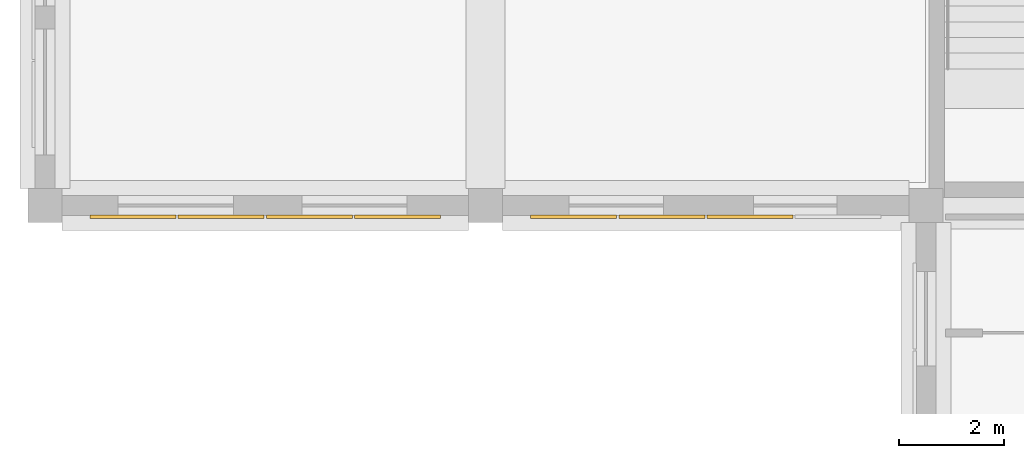
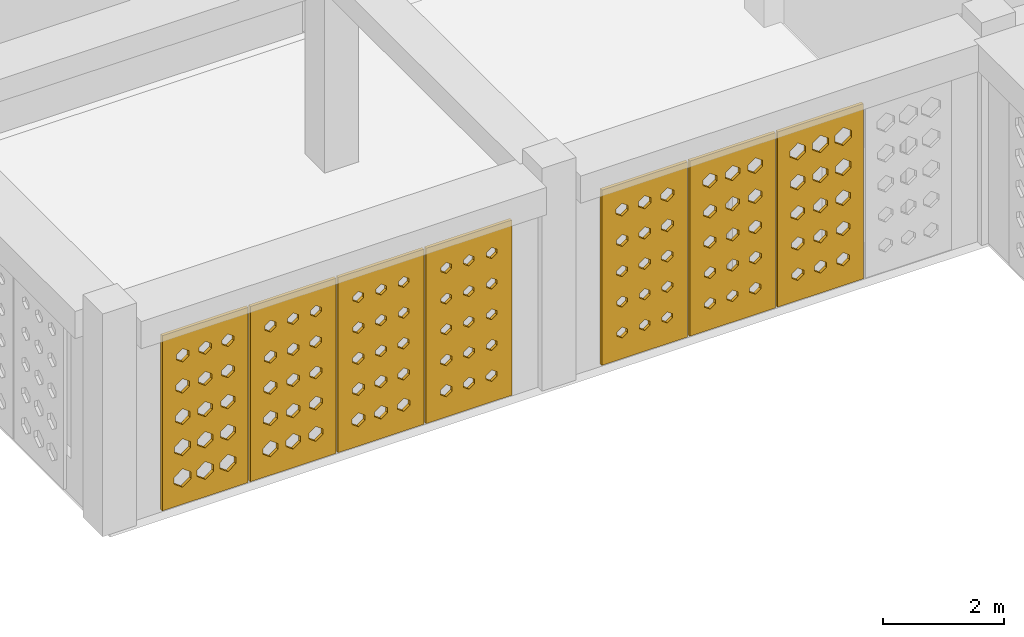
# One storey, part 17 of 47: 7 coverings.
"""IFC4 building model written with IfcOpenShell, lengths in metres."""

from ifc_helpers import new_model, si_unit, derived_unit, direction, frame, origin, place, context, subcontext, project, spatial, polyline, outline, extrude, material, layer, layer_set, type_object, element, save


model = new_model("IFC4")

# Units and contexts
model_context = context("Model", 3, precision=1e-05, world=origin(), true_north=direction((0.0, 1.0)))
body_context = subcontext(model_context, "Body", "Model", "MODEL_VIEW")
ifc_project = project(units=[si_unit("LENGTHUNIT", "METRE"), si_unit("AREAUNIT", "SQUARE_METRE"), si_unit("VOLUMEUNIT", "CUBIC_METRE"), si_unit("PLANEANGLEUNIT", "RADIAN"), si_unit("MASSUNIT", "GRAM", prefix="KILO"), derived_unit("THERMALTRANSMITTANCEUNIT", [(si_unit("POWERUNIT", "WATT"), 1), (si_unit("LENGTHUNIT", "METRE"), -2), (si_unit("THERMODYNAMICTEMPERATUREUNIT", "KELVIN"), -1)])], contexts=[model_context])

# Site, building, storey
site_placement = place(None, origin())
site = spatial("IfcSite", under=ifc_project, at=site_placement, CompositionType="ELEMENT")
building_placement = place(site_placement, origin())
building = spatial("IfcBuilding", under=site, at=building_placement, Name="Veybourne Emporium", CompositionType="ELEMENT")
storey_placement = place(building_placement, frame((0.0, 0.0, 23.39990234375)))
storey = spatial("IfcBuildingStorey", under=building, at=storey_placement, Name="L05", CompositionType="ELEMENT", Elevation=23.39990234375)

# Coverings
ifc_material = material(Name="Warm-White Perforated Aluminium Screen Alloy", Category="aluminium")
ifc_layer_1 = layer(ifc_material, 0.06005859375)
ifc_layer_set_1 = layer_set([ifc_layer_1], Name="Warm-White Perforated Aluminium Screen Alloy")
covering_type_1 = type_object("IfcCoveringType", Name="WaveScreen_SCR-01", PredefinedType="CLADDING", material=ifc_layer_set_1)
covering_1_placement = place(storey_placement, frame((5.0400390625, 14.15185546875, 1.830078125), z_axis=(0.0, 1.0, 0.0), x_axis=(-1.0, 0.0, 0.0)))
element("IfcCovering", 1, at=covering_1_placement, inside=storey, type_object=covering_type_1, Name="L05 wave-perforated aluminium screen SCR-01 (1.2)", PredefinedType="CLADDING", context=body_context, shape_type="SweptSolid", body=[
    extrude(outline(polyline([(-0.81982421875, -1.77001953125), (0.81982421875, -1.77001953125), (0.81982421875, 1.77001953125), (-0.81982421875, 1.77001953125), (-0.81982421875, -1.77001953125)]), holes=[polyline([(-0.433349609375, -1.1083984375), (-0.315673828125, -1.192626953125), (-0.315673828125, -1.287353515625), (-0.433349609375, -1.37158203125), (-0.551025390625, -1.287353515625), (-0.551025390625, -1.192626953125), (-0.433349609375, -1.1083984375)]), polyline([(-0.433349609375, -0.4970703125), (-0.32275390625, -0.57568359375), (-0.32275390625, -0.664306640625), (-0.433349609375, -0.742919921875), (-0.5439453125, -0.664306640625), (-0.5439453125, -0.57568359375), (-0.433349609375, -0.4970703125)]), polyline([(-0.433349609375, 0.1162109375), (-0.328125, 0.0419921875), (-0.328125, -0.0419921875), (-0.433349609375, -0.1162109375), (-0.53857421875, -0.0419921875), (-0.53857421875, 0.0419921875), (-0.433349609375, 0.1162109375)]), polyline([(-0.433349609375, 0.73193359375), (-0.331787109375, 0.660400390625), (-0.331787109375, 0.57958984375), (-0.433349609375, 0.508056640625), (-0.534912109375, 0.57958984375), (-0.534912109375, 0.660400390625), (-0.433349609375, 0.73193359375)]), polyline([(-0.433349609375, 1.35009765625), (-0.333251953125, 1.279541015625), (-0.333251953125, 1.200439453125), (-0.433349609375, 1.1298828125), (-0.533447265625, 1.200439453125), (-0.533447265625, 1.279541015625), (-0.433349609375, 1.35009765625)]), polyline([(0.0, -1.10400390625), (0.121337890625, -1.19091796875), (0.121337890625, -1.2890625), (0.0, -1.376220703125), (-0.121337890625, -1.2890625), (-0.121337890625, -1.19091796875), (0.0, -1.10400390625)]), polyline([(0.0, -0.493408203125), (0.113525390625, -0.574462890625), (0.113525390625, -0.66552734375), (0.0, -0.74658203125), (-0.113525390625, -0.66552734375), (-0.113525390625, -0.574462890625), (0.0, -0.493408203125)]), polyline([(0.0, 0.118896484375), (0.107421875, 0.042724609375), (0.107421875, -0.042724609375), (0.0, -0.118896484375), (-0.107421875, -0.042724609375), (-0.107421875, 0.042724609375), (0.0, 0.118896484375)]), polyline([(0.0, 0.733642578125), (0.10302734375, 0.660888671875), (0.10302734375, 0.5791015625), (0.0, 0.50634765625), (-0.10302734375, 0.5791015625), (-0.10302734375, 0.660888671875), (0.0, 0.733642578125)]), polyline([(0.0, 1.3505859375), (0.1005859375, 1.27978515625), (0.1005859375, 1.2001953125), (0.0, 1.12939453125), (-0.1005859375, 1.2001953125), (-0.1005859375, 1.27978515625), (0.0, 1.3505859375)]), polyline([(0.433349609375, -1.09912109375), (0.55859375, -1.189208984375), (0.55859375, -1.290771484375), (0.433349609375, -1.381103515625), (0.30810546875, -1.290771484375), (0.30810546875, -1.189208984375), (0.433349609375, -1.09912109375)]), polyline([(0.433349609375, -0.489501953125), (0.55029296875, -0.572998046875), (0.55029296875, -0.6669921875), (0.433349609375, -0.75048828125), (0.31640625, -0.6669921875), (0.31640625, -0.572998046875), (0.433349609375, -0.489501953125)]), polyline([(0.433349609375, 0.1220703125), (0.543212890625, 0.0439453125), (0.543212890625, -0.0439453125), (0.433349609375, -0.1220703125), (0.323486328125, -0.0439453125), (0.323486328125, 0.0439453125), (0.433349609375, 0.1220703125)]), polyline([(0.433349609375, 0.73583984375), (0.5380859375, 0.66162109375), (0.5380859375, 0.578369140625), (0.433349609375, 0.504150390625), (0.32861328125, 0.578369140625), (0.32861328125, 0.66162109375), (0.433349609375, 0.73583984375)]), polyline([(0.433349609375, 1.351806640625), (0.53466796875, 1.2802734375), (0.53466796875, 1.19970703125), (0.433349609375, 1.12841796875), (0.33203125, 1.19970703125), (0.33203125, 1.2802734375), (0.433349609375, 1.351806640625)])]), origin(), (0.0, 0.0, 1.0), 0.06005859375),
])
covering_2_placement = place(storey_placement, frame((11.760009765625, 14.15185546875, 1.830078125), z_axis=(0.0, 1.0, 0.0), x_axis=(-1.0, 0.0, 0.0)))
element("IfcCovering", 2, at=covering_2_placement, inside=storey, type_object=covering_type_1, Name="L05 wave-perforated aluminium screen SCR-01 (8.3)", PredefinedType="CLADDING", context=body_context, shape_type="SweptSolid", body=[
    extrude(outline(polyline([(-0.81982421875, -1.77001953125), (0.81982421875, -1.77001953125), (0.81982421875, 1.77001953125), (-0.81982421875, 1.77001953125), (-0.81982421875, -1.77001953125)]), holes=[polyline([(-0.433349609375, -1.12109375), (-0.325927734375, -1.197265625), (-0.325927734375, -1.28271484375), (-0.433349609375, -1.35888671875), (-0.54052734375, -1.28271484375), (-0.54052734375, -1.197265625), (-0.433349609375, -1.12109375)]), polyline([(-0.433349609375, -0.493408203125), (-0.31982421875, -0.574462890625), (-0.31982421875, -0.66552734375), (-0.433349609375, -0.74658203125), (-0.546875, -0.66552734375), (-0.546875, -0.574462890625), (-0.433349609375, -0.493408203125)]), polyline([(-0.433349609375, 0.135986328125), (-0.31201171875, 0.049072265625), (-0.31201171875, -0.049072265625), (-0.433349609375, -0.135986328125), (-0.5546875, -0.049072265625), (-0.5546875, 0.049072265625), (-0.433349609375, 0.135986328125)]), polyline([(-0.433349609375, 0.76708984375), (-0.302978515625, 0.673095703125), (-0.302978515625, 0.56689453125), (-0.433349609375, 0.472900390625), (-0.563720703125, 0.56689453125), (-0.563720703125, 0.673095703125), (-0.433349609375, 0.76708984375)]), polyline([(-0.433349609375, 1.39990234375), (-0.29248046875, 1.297607421875), (-0.29248046875, 1.1826171875), (-0.433349609375, 1.080078125), (-0.57421875, 1.1826171875), (-0.57421875, 1.297607421875), (-0.433349609375, 1.39990234375)]), polyline([(0.0, -1.123779296875), (0.10498046875, -1.1982421875), (0.10498046875, -1.28173828125), (0.0, -1.356201171875), (-0.10498046875, -1.28173828125), (-0.10498046875, -1.1982421875), (0.0, -1.123779296875)]), polyline([(0.0, -0.497314453125), (0.110595703125, -0.57568359375), (0.110595703125, -0.664306640625), (0.0, -0.742919921875), (-0.110595703125, -0.664306640625), (-0.110595703125, -0.57568359375), (0.0, -0.497314453125)]), polyline([(0.0, 0.131591796875), (0.11767578125, 0.04736328125), (0.11767578125, -0.04736328125), (0.0, -0.131591796875), (-0.11767578125, -0.04736328125), (-0.11767578125, 0.04736328125), (0.0, 0.131591796875)]), polyline([(0.0, 0.761962890625), (0.126220703125, 0.671142578125), (0.126220703125, 0.56884765625), (0.0, 0.47802734375), (-0.126220703125, 0.56884765625), (-0.126220703125, 0.671142578125), (0.0, 0.761962890625)]), polyline([(0.0, 1.39404296875), (0.135986328125, 1.29541015625), (0.135986328125, 1.1845703125), (0.0, 1.0859375), (-0.135986328125, 1.1845703125), (-0.135986328125, 1.29541015625), (0.0, 1.39404296875)]), polyline([(0.433349609375, -1.1259765625), (0.53662109375, -1.198974609375), (0.53662109375, -1.281005859375), (0.433349609375, -1.35400390625), (0.330078125, -1.281005859375), (0.330078125, -1.198974609375), (0.433349609375, -1.1259765625)]), polyline([(0.433349609375, -0.50048828125), (0.541259765625, -0.576904296875), (0.541259765625, -0.6630859375), (0.433349609375, -0.739501953125), (0.325439453125, -0.6630859375), (0.325439453125, -0.576904296875), (0.433349609375, -0.50048828125)]), polyline([(0.433349609375, 0.127197265625), (0.547607421875, 0.0458984375), (0.547607421875, -0.0458984375), (0.433349609375, -0.127197265625), (0.319091796875, -0.0458984375), (0.319091796875, 0.0458984375), (0.433349609375, 0.127197265625)]), polyline([(0.433349609375, 0.757080078125), (0.555419921875, 0.669189453125), (0.555419921875, 0.57080078125), (0.433349609375, 0.48291015625), (0.311279296875, 0.57080078125), (0.311279296875, 0.669189453125), (0.433349609375, 0.757080078125)]), polyline([(0.433349609375, 1.388427734375), (0.564697265625, 1.29345703125), (0.564697265625, 1.1865234375), (0.433349609375, 1.091552734375), (0.302001953125, 1.1865234375), (0.302001953125, 1.29345703125), (0.433349609375, 1.388427734375)])]), origin(), (0.0, 0.0, 1.0), 0.06005859375),
])
ifc_layer_2 = layer(ifc_material, 0.06005859375)
ifc_layer_set_2 = layer_set([ifc_layer_2], Name="Warm-White Perforated Aluminium Screen Alloy")
covering_type_2 = type_object("IfcCoveringType", Name="WaveScreen_SCR-02", PredefinedType="CLADDING", material=ifc_layer_set_2)
covering_3_placement = place(storey_placement, frame((3.360107421875, 14.15185546875, 1.830078125), z_axis=(0.0, 1.0, 0.0), x_axis=(-1.0, 0.0, 0.0)))
element("IfcCovering", 3, at=covering_3_placement, inside=storey, type_object=covering_type_2, Name="L05 wave-perforated aluminium screen SCR-02 (1.3)", PredefinedType="CLADDING", context=body_context, shape_type="SweptSolid", body=[
    extrude(outline(polyline([(-0.81982421875, -1.77001953125), (0.81982421875, -1.77001953125), (0.81982421875, 1.77001953125), (-0.81982421875, 1.77001953125), (-0.81982421875, -1.77001953125)]), holes=[polyline([(-0.433349609375, -1.089111328125), (-0.2998046875, -1.185791015625), (-0.2998046875, -1.294189453125), (-0.433349609375, -1.390869140625), (-0.56689453125, -1.294189453125), (-0.56689453125, -1.185791015625), (-0.433349609375, -1.089111328125)]), polyline([(-0.433349609375, -0.480712890625), (-0.309326171875, -0.56982421875), (-0.309326171875, -0.670166015625), (-0.433349609375, -0.75927734375), (-0.557373046875, -0.670166015625), (-0.557373046875, -0.56982421875), (-0.433349609375, -0.480712890625)]), polyline([(-0.433349609375, 0.129150390625), (-0.317626953125, 0.04638671875), (-0.317626953125, -0.04638671875), (-0.433349609375, -0.129150390625), (-0.549072265625, -0.04638671875), (-0.549072265625, 0.04638671875), (-0.433349609375, 0.129150390625)]), polyline([(-0.433349609375, 0.740966796875), (-0.32421875, 0.66357421875), (-0.32421875, 0.576416015625), (-0.433349609375, 0.4990234375), (-0.542236328125, 0.576416015625), (-0.542236328125, 0.66357421875), (-0.433349609375, 0.740966796875)]), polyline([(-0.433349609375, 1.35498046875), (-0.329345703125, 1.281494140625), (-0.329345703125, 1.198486328125), (-0.433349609375, 1.125), (-0.537353515625, 1.198486328125), (-0.537353515625, 1.281494140625), (-0.433349609375, 1.35498046875)]), polyline([(0.0, -1.08349609375), (0.13818359375, -1.18359375), (0.13818359375, -1.29638671875), (0.0, -1.396484375), (-0.13818359375, -1.29638671875), (-0.13818359375, -1.18359375), (0.0, -1.08349609375)]), polyline([(0.0, -0.4755859375), (0.128173828125, -0.568115234375), (0.128173828125, -0.672119140625), (0.0, -0.764404296875), (-0.128173828125, -0.672119140625), (-0.128173828125, -0.568115234375), (0.0, -0.4755859375)]), polyline([(0.0, 0.133544921875), (0.119140625, 0.048095703125), (0.119140625, -0.048095703125), (0.0, -0.133544921875), (-0.119140625, -0.048095703125), (-0.119140625, 0.048095703125), (0.0, 0.133544921875)]), polyline([(0.0, 0.744384765625), (0.11181640625, 0.664794921875), (0.11181640625, 0.5751953125), (0.0, 0.49560546875), (-0.11181640625, 0.5751953125), (-0.11181640625, 0.664794921875), (0.0, 0.744384765625)]), polyline([(0.0, 1.357421875), (0.10595703125, 1.2822265625), (0.10595703125, 1.19775390625), (0.0, 1.12255859375), (-0.10595703125, 1.19775390625), (-0.10595703125, 1.2822265625), (0.0, 1.357421875)]), polyline([(0.433349609375, -1.077392578125), (0.576416015625, -1.181396484375), (0.576416015625, -1.298583984375), (0.433349609375, -1.402587890625), (0.290283203125, -1.298583984375), (0.290283203125, -1.181396484375), (0.433349609375, -1.077392578125)]), polyline([(0.433349609375, -0.47021484375), (0.56591796875, -0.566162109375), (0.56591796875, -0.673828125), (0.433349609375, -0.769775390625), (0.30078125, -0.673828125), (0.30078125, -0.566162109375), (0.433349609375, -0.47021484375)]), polyline([(0.433349609375, 0.13818359375), (0.556396484375, 0.0498046875), (0.556396484375, -0.0498046875), (0.433349609375, -0.13818359375), (0.310302734375, -0.0498046875), (0.310302734375, 0.0498046875), (0.433349609375, 0.13818359375)]), polyline([(0.433349609375, 0.748291015625), (0.54833984375, 0.666259765625), (0.54833984375, 0.57373046875), (0.433349609375, 0.49169921875), (0.318359375, 0.57373046875), (0.318359375, 0.666259765625), (0.433349609375, 0.748291015625)]), polyline([(0.433349609375, 1.3603515625), (0.541748046875, 1.283203125), (0.541748046875, 1.19677734375), (0.433349609375, 1.11962890625), (0.324951171875, 1.19677734375), (0.324951171875, 1.283203125), (0.433349609375, 1.3603515625)])]), origin(), (0.0, 0.0, 1.0), 0.06005859375),
])
covering_4_placement = place(storey_placement, frame((10.080078125, 14.15185546875, 1.830078125), z_axis=(0.0, 1.0, 0.0), x_axis=(-1.0, 0.0, 0.0)))
element("IfcCovering", 4, at=covering_4_placement, inside=storey, type_object=covering_type_2, Name="L05 wave-perforated aluminium screen SCR-02 (8.4)", PredefinedType="CLADDING", context=body_context, shape_type="SweptSolid", body=[
    extrude(outline(polyline([(-0.81982421875, -1.77001953125), (0.81982421875, -1.77001953125), (0.81982421875, 1.77001953125), (-0.81982421875, 1.77001953125), (-0.81982421875, -1.77001953125)]), holes=[polyline([(-0.433349609375, -1.12890625), (-0.33251953125, -1.199951171875), (-0.33251953125, -1.280029296875), (-0.433349609375, -1.35107421875), (-0.5341796875, -1.280029296875), (-0.5341796875, -1.199951171875), (-0.433349609375, -1.12890625)]), polyline([(-0.433349609375, -0.50537109375), (-0.32958984375, -0.57861328125), (-0.32958984375, -0.661376953125), (-0.433349609375, -0.734619140625), (-0.537109375, -0.661376953125), (-0.537109375, -0.57861328125), (-0.433349609375, -0.50537109375)]), polyline([(-0.433349609375, 0.12060546875), (-0.32470703125, 0.04345703125), (-0.32470703125, -0.04345703125), (-0.433349609375, -0.12060546875), (-0.5419921875, -0.04345703125), (-0.5419921875, 0.04345703125), (-0.433349609375, 0.12060546875)]), polyline([(-0.433349609375, 0.748779296875), (-0.318115234375, 0.666259765625), (-0.318115234375, 0.57373046875), (-0.433349609375, 0.4912109375), (-0.548583984375, 0.57373046875), (-0.548583984375, 0.666259765625), (-0.433349609375, 0.748779296875)]), polyline([(-0.433349609375, 1.378662109375), (-0.309814453125, 1.289794921875), (-0.309814453125, 1.190185546875), (-0.433349609375, 1.101318359375), (-0.556884765625, 1.190185546875), (-0.556884765625, 1.289794921875), (-0.433349609375, 1.378662109375)]), polyline([(0.0, -1.129638671875), (0.100341796875, -1.2001953125), (0.100341796875, -1.27978515625), (0.0, -1.350341796875), (-0.100341796875, -1.27978515625), (-0.100341796875, -1.2001953125), (0.0, -1.129638671875)]), polyline([(0.0, -0.507080078125), (0.102294921875, -0.579345703125), (0.102294921875, -0.66064453125), (0.0, -0.73291015625), (-0.102294921875, -0.66064453125), (-0.102294921875, -0.579345703125), (0.0, -0.507080078125)]), polyline([(0.0, 0.11767578125), (0.106201171875, 0.04248046875), (0.106201171875, -0.04248046875), (0.0, -0.11767578125), (-0.106201171875, -0.04248046875), (-0.106201171875, 0.04248046875), (0.0, 0.11767578125)]), polyline([(0.0, 0.744873046875), (0.1123046875, 0.664794921875), (0.1123046875, 0.5751953125), (0.0, 0.4951171875), (-0.1123046875, 0.5751953125), (-0.1123046875, 0.664794921875), (0.0, 0.744873046875)]), polyline([(0.0, 1.3740234375), (0.11962890625, 1.288330078125), (0.11962890625, 1.191650390625), (0.0, 1.10595703125), (-0.11962890625, 1.191650390625), (-0.11962890625, 1.288330078125), (0.0, 1.3740234375)]), polyline([(0.433349609375, -1.1298828125), (0.533203125, -1.200439453125), (0.533203125, -1.279541015625), (0.433349609375, -1.35009765625), (0.333251953125, -1.279541015625), (0.333251953125, -1.200439453125), (0.433349609375, -1.1298828125)]), polyline([(0.433349609375, -0.508544921875), (0.534423828125, -0.579833984375), (0.534423828125, -0.66015625), (0.433349609375, -0.7314453125), (0.332275390625, -0.66015625), (0.332275390625, -0.579833984375), (0.433349609375, -0.508544921875)]), polyline([(0.433349609375, 0.115234375), (0.53759765625, 0.04150390625), (0.53759765625, -0.04150390625), (0.433349609375, -0.115234375), (0.3291015625, -0.04150390625), (0.3291015625, 0.04150390625), (0.433349609375, 0.115234375)]), polyline([(0.433349609375, 0.741455078125), (0.54248046875, 0.663818359375), (0.54248046875, 0.576416015625), (0.433349609375, 0.49853515625), (0.323974609375, 0.576416015625), (0.323974609375, 0.663818359375), (0.433349609375, 0.741455078125)]), polyline([(0.433349609375, 1.36962890625), (0.54931640625, 1.28662109375), (0.54931640625, 1.193359375), (0.433349609375, 1.1103515625), (0.317138671875, 1.193359375), (0.317138671875, 1.28662109375), (0.433349609375, 1.36962890625)])]), origin(), (0.0, 0.0, 1.0), 0.06005859375),
])
ifc_layer_3 = layer(ifc_material, 0.06005859375)
ifc_layer_set_3 = layer_set([ifc_layer_3], Name="Warm-White Perforated Aluminium Screen Alloy")
covering_type_3 = type_object("IfcCoveringType", Name="WaveScreen_SCR-03", PredefinedType="CLADDING", material=ifc_layer_set_3)
covering_5_placement = place(storey_placement, frame((1.679931640625, 14.15185546875, 1.830078125), z_axis=(0.0, 1.0, 0.0), x_axis=(-1.0, 0.0, 0.0)))
element("IfcCovering", 5, at=covering_5_placement, inside=storey, type_object=covering_type_3, Name="L05 wave-perforated aluminium screen SCR-03 (1.4)", PredefinedType="CLADDING", context=body_context, shape_type="SweptSolid", body=[
    extrude(outline(polyline([(-0.81982421875, -1.77001953125), (0.81982421875, -1.77001953125), (0.81982421875, 1.77001953125), (-0.81982421875, 1.77001953125), (-0.81982421875, -1.77001953125)]), holes=[polyline([(-0.433349609375, -1.06591796875), (-0.281005859375, -1.17724609375), (-0.281005859375, -1.302734375), (-0.433349609375, -1.4140625), (-0.585693359375, -1.302734375), (-0.585693359375, -1.17724609375), (-0.433349609375, -1.06591796875)]), polyline([(-0.433349609375, -0.459716796875), (-0.2919921875, -0.562255859375), (-0.2919921875, -0.677734375), (-0.433349609375, -0.780517578125), (-0.57470703125, -0.677734375), (-0.57470703125, -0.562255859375), (-0.433349609375, -0.459716796875)]), polyline([(-0.433349609375, 0.147705078125), (-0.302490234375, 0.05322265625), (-0.302490234375, -0.05322265625), (-0.433349609375, -0.147705078125), (-0.564208984375, -0.05322265625), (-0.564208984375, 0.05322265625), (-0.433349609375, 0.147705078125)]), polyline([(-0.433349609375, 0.756591796875), (-0.311767578125, 0.669189453125), (-0.311767578125, 0.57080078125), (-0.433349609375, 0.4833984375), (-0.554931640625, 0.57080078125), (-0.554931640625, 0.669189453125), (-0.433349609375, 0.756591796875)]), polyline([(-0.433349609375, 1.366943359375), (-0.319580078125, 1.28564453125), (-0.319580078125, 1.1943359375), (-0.433349609375, 1.113037109375), (-0.547119140625, 1.1943359375), (-0.547119140625, 1.28564453125), (-0.433349609375, 1.366943359375)]), polyline([(0.0, -1.0595703125), (0.15771484375, -1.175048828125), (0.15771484375, -1.304931640625), (0.0, -1.42041015625), (-0.15771484375, -1.304931640625), (-0.15771484375, -1.175048828125), (0.0, -1.0595703125)]), polyline([(0.0, -0.45361328125), (0.146240234375, -0.56005859375), (0.146240234375, -0.679931640625), (0.0, -0.78662109375), (-0.146240234375, -0.679931640625), (-0.146240234375, -0.56005859375), (0.0, -0.45361328125)]), polyline([(0.0, 0.1533203125), (0.135498046875, 0.05517578125), (0.135498046875, -0.05517578125), (0.0, -0.1533203125), (-0.135498046875, -0.05517578125), (-0.135498046875, 0.05517578125), (0.0, 0.1533203125)]), polyline([(0.0, 0.761474609375), (0.125732421875, 0.6708984375), (0.125732421875, 0.569091796875), (0.0, 0.478515625), (-0.125732421875, 0.569091796875), (-0.125732421875, 0.6708984375), (0.0, 0.761474609375)]), polyline([(0.0, 1.37109375), (0.1171875, 1.287109375), (0.1171875, 1.19287109375), (0.0, 1.10888671875), (-0.1171875, 1.19287109375), (-0.1171875, 1.287109375), (0.0, 1.37109375)]), polyline([(0.433349609375, -1.05322265625), (0.59619140625, -1.1728515625), (0.59619140625, -1.30712890625), (0.433349609375, -1.4267578125), (0.2705078125, -1.30712890625), (0.2705078125, -1.1728515625), (0.433349609375, -1.05322265625)]), polyline([(0.433349609375, -0.447509765625), (0.584716796875, -0.557861328125), (0.584716796875, -0.68212890625), (0.433349609375, -0.79248046875), (0.281982421875, -0.68212890625), (0.281982421875, -0.557861328125), (0.433349609375, -0.447509765625)]), polyline([(0.433349609375, 0.1591796875), (0.573486328125, 0.057373046875), (0.573486328125, -0.057373046875), (0.433349609375, -0.1591796875), (0.293212890625, -0.057373046875), (0.293212890625, 0.057373046875), (0.433349609375, 0.1591796875)]), polyline([(0.433349609375, 0.7666015625), (0.563232421875, 0.6728515625), (0.563232421875, 0.567138671875), (0.433349609375, 0.473388671875), (0.303466796875, 0.567138671875), (0.303466796875, 0.6728515625), (0.433349609375, 0.7666015625)]), polyline([(0.433349609375, 1.37548828125), (0.55419921875, 1.288818359375), (0.55419921875, 1.191162109375), (0.433349609375, 1.1044921875), (0.3125, 1.191162109375), (0.3125, 1.288818359375), (0.433349609375, 1.37548828125)])]), origin(), (0.0, 0.0, 1.0), 0.06005859375),
])
ifc_layer_4 = layer(ifc_material, 0.06005859375)
ifc_layer_set_4 = layer_set([ifc_layer_4], Name="Warm-White Perforated Aluminium Screen Alloy")
covering_type_4 = type_object("IfcCoveringType", Name="WaveScreen_SCR-04", PredefinedType="CLADDING", material=ifc_layer_set_4)
covering_6_placement = place(storey_placement, frame((6.719970703125, 14.15185546875, 1.830078125), z_axis=(0.0, 1.0, 0.0), x_axis=(-1.0, 0.0, 0.0)))
element("IfcCovering", 6, at=covering_6_placement, inside=storey, type_object=covering_type_4, Name="L05 wave-perforated aluminium screen SCR-04 (1.1)", PredefinedType="CLADDING", context=body_context, shape_type="SweptSolid", body=[
    extrude(outline(polyline([(-0.81982421875, -1.77001953125), (0.81982421875, -1.77001953125), (0.81982421875, 1.77001953125), (-0.81982421875, 1.77001953125), (-0.81982421875, -1.77001953125)]), holes=[polyline([(-0.433349609375, -1.122314453125), (-0.326904296875, -1.197509765625), (-0.326904296875, -1.282470703125), (-0.433349609375, -1.35791015625), (-0.539794921875, -1.282470703125), (-0.539794921875, -1.197509765625), (-0.433349609375, -1.122314453125)]), polyline([(-0.433349609375, -0.507080078125), (-0.3310546875, -0.579345703125), (-0.3310546875, -0.66064453125), (-0.433349609375, -0.73291015625), (-0.53564453125, -0.66064453125), (-0.53564453125, -0.579345703125), (-0.433349609375, -0.507080078125)]), polyline([(-0.433349609375, 0.1103515625), (-0.3330078125, 0.039794921875), (-0.3330078125, -0.039794921875), (-0.433349609375, -0.1103515625), (-0.53369140625, -0.039794921875), (-0.53369140625, 0.039794921875), (-0.433349609375, 0.1103515625)]), polyline([(-0.433349609375, 0.730224609375), (-0.3330078125, 0.65966796875), (-0.3330078125, 0.580322265625), (-0.433349609375, 0.509765625), (-0.53369140625, 0.580322265625), (-0.53369140625, 0.65966796875), (-0.433349609375, 0.730224609375)]), polyline([(-0.433349609375, 1.352783203125), (-0.3310546875, 1.280517578125), (-0.3310546875, 1.199462890625), (-0.433349609375, 1.127197265625), (-0.535400390625, 1.199462890625), (-0.535400390625, 1.280517578125), (-0.433349609375, 1.352783203125)]), polyline([(0.0, -1.119384765625), (0.10888671875, -1.196533203125), (0.10888671875, -1.283447265625), (0.0, -1.360595703125), (-0.10888671875, -1.283447265625), (-0.10888671875, -1.196533203125), (0.0, -1.119384765625)]), polyline([(0.0, -0.505126953125), (0.10400390625, -0.57861328125), (0.10400390625, -0.661376953125), (0.0, -0.73486328125), (-0.10400390625, -0.661376953125), (-0.10400390625, -0.57861328125), (0.0, -0.505126953125)]), polyline([(0.0, 0.111083984375), (0.10107421875, 0.0400390625), (0.10107421875, -0.0400390625), (0.0, -0.111083984375), (-0.10107421875, -0.0400390625), (-0.10107421875, 0.0400390625), (0.0, 0.111083984375)]), polyline([(0.0, 0.72998046875), (0.10009765625, 0.65966796875), (0.10009765625, 0.580322265625), (0.0, 0.510009765625), (-0.10009765625, 0.580322265625), (-0.10009765625, 0.65966796875), (0.0, 0.72998046875)]), polyline([(0.0, 1.351318359375), (0.10107421875, 1.280029296875), (0.10107421875, 1.199951171875), (0.0, 1.128662109375), (-0.10107421875, 1.199951171875), (-0.10107421875, 1.280029296875), (0.0, 1.351318359375)]), polyline([(0.433349609375, -1.115966796875), (0.544921875, -1.1953125), (0.544921875, -1.28466796875), (0.433349609375, -1.364013671875), (0.32177734375, -1.28466796875), (0.32177734375, -1.1953125), (0.433349609375, -1.115966796875)]), polyline([(0.433349609375, -0.502685546875), (0.539306640625, -0.577880859375), (0.539306640625, -0.662109375), (0.433349609375, -0.7373046875), (0.327392578125, -0.662109375), (0.327392578125, -0.577880859375), (0.433349609375, -0.502685546875)]), polyline([(0.433349609375, 0.112548828125), (0.535400390625, 0.04052734375), (0.535400390625, -0.04052734375), (0.433349609375, -0.112548828125), (0.331298828125, -0.04052734375), (0.331298828125, 0.04052734375), (0.433349609375, 0.112548828125)]), polyline([(0.433349609375, 0.730224609375), (0.533447265625, 0.65966796875), (0.533447265625, 0.580322265625), (0.433349609375, 0.509765625), (0.333251953125, 0.580322265625), (0.333251953125, 0.65966796875), (0.433349609375, 0.730224609375)]), polyline([(0.433349609375, 1.350341796875), (0.53369140625, 1.27978515625), (0.53369140625, 1.2001953125), (0.433349609375, 1.129638671875), (0.3330078125, 1.2001953125), (0.3330078125, 1.27978515625), (0.433349609375, 1.350341796875)])]), origin(), (0.0, 0.0, 1.0), 0.06005859375),
])
covering_7_placement = place(storey_placement, frame((13.43994140625, 14.15185546875, 1.830078125), z_axis=(0.0, 1.0, 0.0), x_axis=(-1.0, 0.0, 0.0)))
element("IfcCovering", 7, at=covering_7_placement, inside=storey, type_object=covering_type_4, Name="L05 wave-perforated aluminium screen SCR-04 (8.2)", PredefinedType="CLADDING", context=body_context, shape_type="SweptSolid", body=[
    extrude(outline(polyline([(-0.81982421875, -1.77001953125), (0.81982421875, -1.77001953125), (0.81982421875, 1.77001953125), (-0.81982421875, 1.77001953125), (-0.81982421875, -1.77001953125)]), holes=[polyline([(-0.433349609375, -1.106689453125), (-0.314208984375, -1.19189453125), (-0.314208984375, -1.2880859375), (-0.433349609375, -1.373291015625), (-0.552490234375, -1.2880859375), (-0.552490234375, -1.19189453125), (-0.433349609375, -1.106689453125)]), polyline([(-0.433349609375, -0.475830078125), (-0.305419921875, -0.568115234375), (-0.305419921875, -0.671875), (-0.433349609375, -0.76416015625), (-0.561279296875, -0.671875), (-0.561279296875, -0.568115234375), (-0.433349609375, -0.475830078125)]), polyline([(-0.433349609375, 0.156494140625), (-0.29541015625, 0.056396484375), (-0.29541015625, -0.056396484375), (-0.433349609375, -0.156494140625), (-0.5712890625, -0.056396484375), (-0.5712890625, 0.056396484375), (-0.433349609375, 0.156494140625)]), polyline([(-0.433349609375, 0.789794921875), (-0.284423828125, 0.68115234375), (-0.284423828125, 0.558837890625), (-0.433349609375, 0.4501953125), (-0.582275390625, 0.558837890625), (-0.582275390625, 0.68115234375), (-0.433349609375, 0.789794921875)]), polyline([(-0.433349609375, 1.423828125), (-0.27294921875, 1.30615234375), (-0.27294921875, 1.173828125), (-0.433349609375, 1.05615234375), (-0.59375, 1.173828125), (-0.59375, 1.30615234375), (-0.433349609375, 1.423828125)]), polyline([(0.0, -1.11083984375), (0.115478515625, -1.193603515625), (0.115478515625, -1.28662109375), (0.0, -1.369140625), (-0.115478515625, -1.28662109375), (-0.115478515625, -1.193603515625), (0.0, -1.11083984375)]), polyline([(0.0, -0.48095703125), (0.123779296875, -0.56982421875), (0.123779296875, -0.670166015625), (0.0, -0.759033203125), (-0.123779296875, -0.670166015625), (-0.123779296875, -0.56982421875), (0.0, -0.48095703125)]), polyline([(0.0, 0.15087890625), (0.13330078125, 0.05419921875), (0.13330078125, -0.05419921875), (0.0, -0.15087890625), (-0.13330078125, -0.05419921875), (-0.13330078125, 0.05419921875), (0.0, 0.15087890625)]), polyline([(0.0, 0.78369140625), (0.143798828125, 0.678955078125), (0.143798828125, 0.56103515625), (0.0, 0.456298828125), (-0.143798828125, 0.56103515625), (-0.143798828125, 0.678955078125), (0.0, 0.78369140625)]), polyline([(0.0, 1.41748046875), (0.1552734375, 1.303955078125), (0.1552734375, 1.176025390625), (0.0, 1.0625), (-0.1552734375, 1.176025390625), (-0.1552734375, 1.303955078125), (0.0, 1.41748046875)]), polyline([(0.433349609375, -1.114990234375), (0.545654296875, -1.19482421875), (0.545654296875, -1.28515625), (0.433349609375, -1.364990234375), (0.32080078125, -1.28515625), (0.32080078125, -1.19482421875), (0.433349609375, -1.114990234375)]), polyline([(0.433349609375, -0.485595703125), (0.55322265625, -0.571533203125), (0.55322265625, -0.66845703125), (0.433349609375, -0.75439453125), (0.3134765625, -0.66845703125), (0.3134765625, -0.571533203125), (0.433349609375, -0.485595703125)]), polyline([(0.433349609375, 0.1455078125), (0.562255859375, 0.05224609375), (0.562255859375, -0.05224609375), (0.433349609375, -0.1455078125), (0.304443359375, -0.05224609375), (0.304443359375, 0.05224609375), (0.433349609375, 0.1455078125)]), polyline([(0.433349609375, 0.77783203125), (0.572509765625, 0.6767578125), (0.572509765625, 0.563232421875), (0.433349609375, 0.462158203125), (0.294189453125, 0.563232421875), (0.294189453125, 0.6767578125), (0.433349609375, 0.77783203125)]), polyline([(0.433349609375, 1.4111328125), (0.58349609375, 1.301513671875), (0.58349609375, 1.178466796875), (0.433349609375, 1.06884765625), (0.283203125, 1.178466796875), (0.283203125, 1.301513671875), (0.433349609375, 1.4111328125)])]), origin(), (0.0, 0.0, 1.0), 0.06005859375),
])

save(model, "model.ifc")
